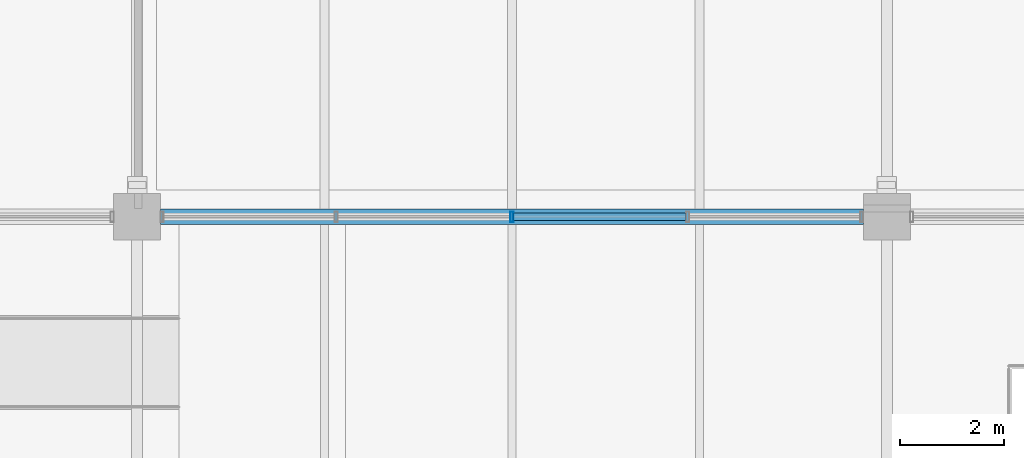
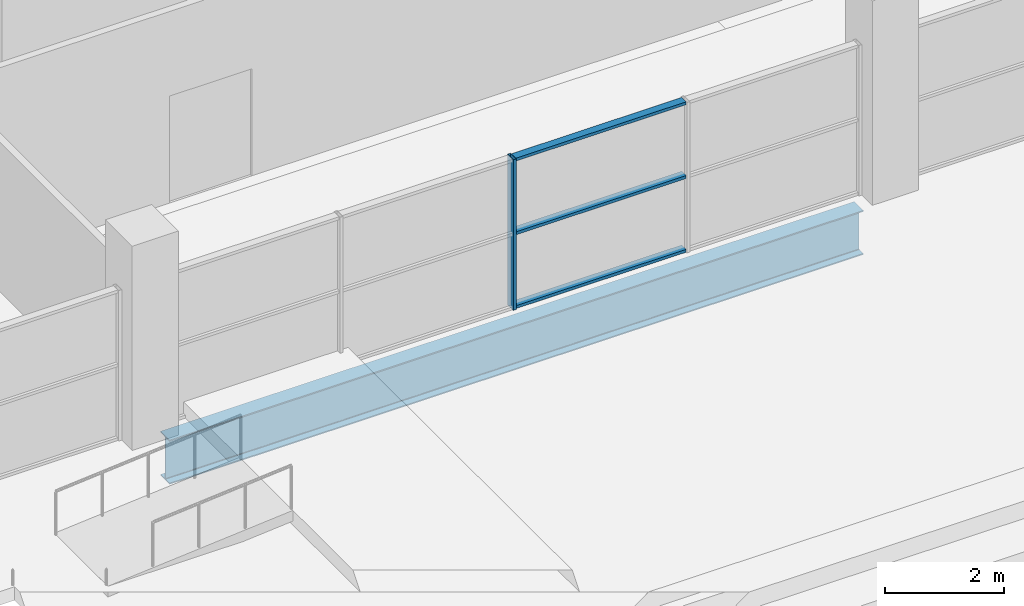
# One storey, part 59 of 161: 4 members, 1 beam, 1 element without a shape of its own.
"""IFC4 building model written with IfcOpenShell, lengths in metres."""

from ifc_helpers import new_model, si_unit, direction, frame, origin, origin_2d, place, context, subcontext, project, spatial, hollow_rectangle, i_section, extrude, material, material_profile, profile_set, type_object, element, aggregate, save


model = new_model("IFC4")

# Units and contexts
model_context = context("Model", 3, precision=1e-05, world=origin(), true_north=direction((0.0, 1.0)))
body_context = subcontext(model_context, "Body", "Model", "MODEL_VIEW")
ifc_project = project(units=[si_unit("LENGTHUNIT", "METRE"), si_unit("AREAUNIT", "SQUARE_METRE"), si_unit("VOLUMEUNIT", "CUBIC_METRE"), si_unit("PLANEANGLEUNIT", "RADIAN"), si_unit("MASSUNIT", "GRAM", prefix="KILO"), si_unit("THERMODYNAMICTEMPERATUREUNIT", "KELVIN")], contexts=[model_context])

# Site, building, storey
site_placement = place(None, origin())
site = spatial("IfcSite", under=ifc_project, at=site_placement, CompositionType="ELEMENT")
building_placement = place(site_placement, origin())
building = spatial("IfcBuilding", under=site, at=building_placement, Name="Nduvali Passage Aquatics Centre", CompositionType="ELEMENT")
storey_placement = place(building_placement, frame((0.0, 0.0, 4.800048828125)))
storey = spatial("IfcBuildingStorey", under=building, at=storey_placement, Name="L01", CompositionType="ELEMENT", Elevation=4.800048828125)

# Curtain wall, members
ifc_material_1 = material(Name="Aluminium EN AW-6063 T6", Category="aluminium")
curtain_wall_type = type_object("IfcCurtainWallType", Name="ENV-CW-HALL", PredefinedType="NOTDEFINED", material=ifc_material_1)
curtain_wall_placement = place(storey_placement, origin())
curtain_wall = element("IfcCurtainWall", 1, at=curtain_wall_placement, inside=storey, type_object=curtain_wall_type, Name="L01 North Pool Hall Concourse CW 061", PredefinedType="NOTDEFINED")
ifc_material_profile_1 = material_profile(ifc_material_1, hollow_rectangle(XDim=0.06005859375, YDim=0.199951171875, WallThickness=0.00390625, at=origin_2d()), Name="ALU MULLION 60x200x4")
ifc_profile_set_1 = profile_set([ifc_material_profile_1], Name="Aluminium EN AW-6063 T6")
member_type_1 = type_object("IfcMemberType", Name="ENV-MEM-MUL80", PredefinedType="MULLION", material=ifc_profile_set_1)
member_1_placement = place(storey_placement, frame((61.199951171875, 92.39990234375, 0.0), z_axis=(0.0, 0.0, 1.0), x_axis=(1.0, 0.0, 0.0)))
member_1 = element("IfcMember", 2, at=member_1_placement, type_object=member_type_1, Name="North Pool Hall Concourse CW Mullion 3", PredefinedType="MULLION", context=body_context, shape_type="SweptSolid", body=[
    extrude(hollow_rectangle(XDim=0.06005859375, YDim=0.199951171875, WallThickness=0.00390625, at=origin_2d()), origin(), (0.0, 0.0, 1.0), 3.09521484375),
])
ifc_material_profile_2 = material_profile(ifc_material_1, hollow_rectangle(XDim=0.14990234375, YDim=0.06005859375, WallThickness=0.00390625, at=origin_2d()), Name="ALU TRANSOM 150x60x4")
ifc_profile_set_2 = profile_set([ifc_material_profile_2], Name="Aluminium EN AW-6063 T6")
member_type_2 = type_object("IfcMemberType", Name="ENV-MEM-TRN80", PredefinedType="USERDEFINED", material=ifc_profile_set_2)
member_2_placement = place(storey_placement, frame((61.22998046875, 92.39990234375, 0.030029296875), z_axis=(1.0, 0.0, 0.0), x_axis=(0.0, 1.0, 0.0)))
member_2 = element("IfcMember", 3, at=member_2_placement, type_object=member_type_2, Name="North Pool Hall Concourse CW Transom B3-R0", ObjectType="TRANSOM", PredefinedType="USERDEFINED", context=body_context, shape_type="SweptSolid", body=[
    extrude(hollow_rectangle(XDim=0.14990234375, YDim=0.06005859375, WallThickness=0.00390625, at=origin_2d()), origin(), (0.0, 0.0, 1.0), 3.31494140625),
])
member_3_placement = place(storey_placement, frame((61.22998046875, 92.39990234375, 1.547607421875), z_axis=(1.0, 0.0, 0.0), x_axis=(0.0, 1.0, 0.0)))
member_3 = element("IfcMember", 4, at=member_3_placement, type_object=member_type_2, Name="North Pool Hall Concourse CW Transom B3-R1", ObjectType="TRANSOM", PredefinedType="USERDEFINED", context=body_context, shape_type="SweptSolid", body=[
    extrude(hollow_rectangle(XDim=0.14990234375, YDim=0.06005859375, WallThickness=0.00390625, at=origin_2d()), origin(), (0.0, 0.0, 1.0), 3.31494140625),
])
member_4_placement = place(storey_placement, frame((61.22998046875, 92.39990234375, 3.065185546875), z_axis=(1.0, 0.0, 0.0), x_axis=(0.0, 1.0, 0.0)))
member_4 = element("IfcMember", 5, at=member_4_placement, type_object=member_type_2, Name="North Pool Hall Concourse CW Transom B3-R2", ObjectType="TRANSOM", PredefinedType="USERDEFINED", context=body_context, shape_type="SweptSolid", body=[
    extrude(hollow_rectangle(XDim=0.14990234375, YDim=0.06005859375, WallThickness=0.00390625, at=origin_2d()), origin(), (0.0, 0.0, 1.0), 3.31494140625),
])
aggregate(curtain_wall, [member_1, member_2, member_3, member_4])

# Beam
ifc_material_2 = material(Name="Steel S355", Category="steel")
ifc_material_profile_3 = material_profile(ifc_material_2, i_section(OverallWidth=0.30419921875, OverallDepth=0.910400390625, WebThickness=0.015869140625, FlangeThickness=0.02392578125, FilletRadius=0.01904296875, at=origin_2d()), Name="UKB 914x305x224")
ifc_profile_set_3 = profile_set([ifc_material_profile_3], Name="Steel S355")
beam_type = type_object("IfcBeamType", Name="STR-BM-UKB914-EXT", PredefinedType="BEAM", material=ifc_profile_set_3)
beam_placement = place(storey_placement, frame((54.449951171875, 92.39990234375, -0.7392578125), z_axis=(1.0, 0.0, 0.0), x_axis=(0.0, 1.0, 0.0)))
element("IfcBeam", 6, at=beam_placement, inside=storey, type_object=beam_type, Name="L01 Primary X-Girder B4AE-0526", PredefinedType="BEAM", context=body_context, shape_type="SweptSolid", body=[
    extrude(i_section(OverallWidth=0.30419921875, OverallDepth=0.910400390625, WebThickness=0.015869140625, FlangeThickness=0.02392578125, FilletRadius=0.01904296875, at=origin_2d()), origin(), (0.0, 0.0, 1.0), 13.5),
])

save(model, "model.ifc")
